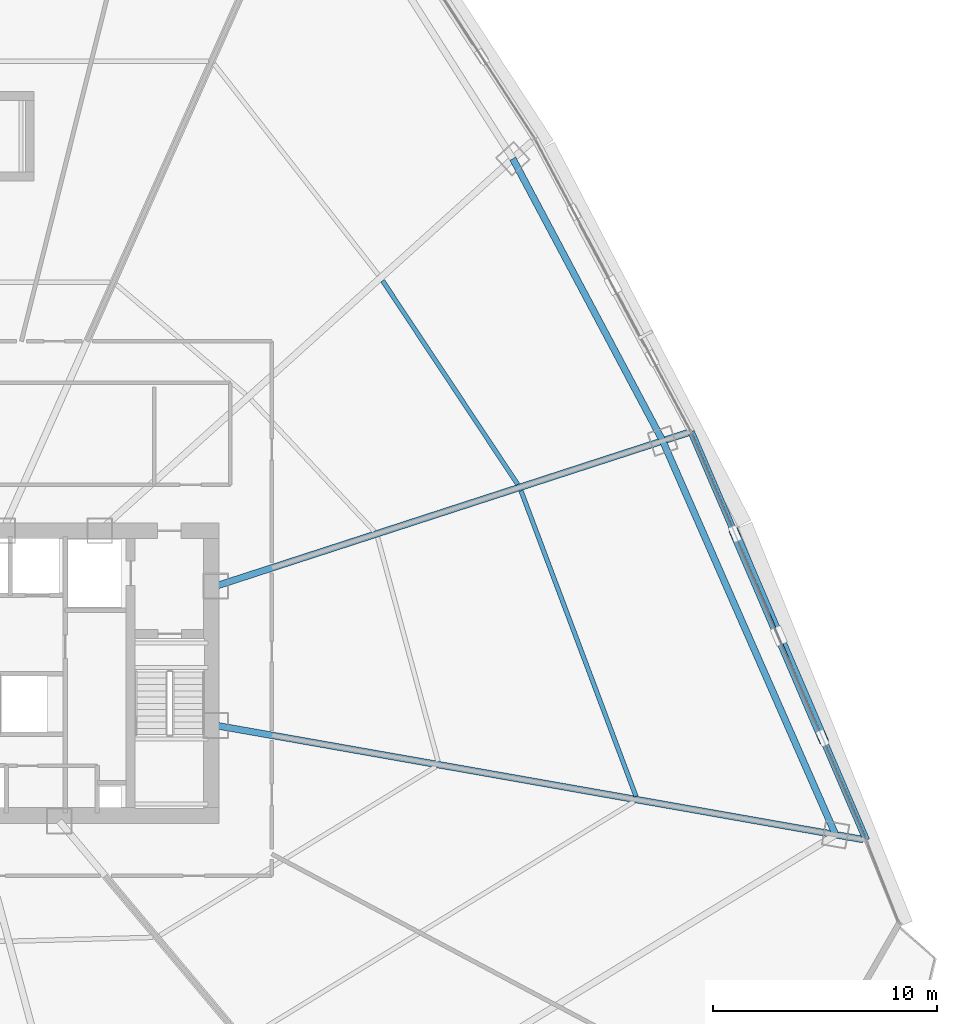
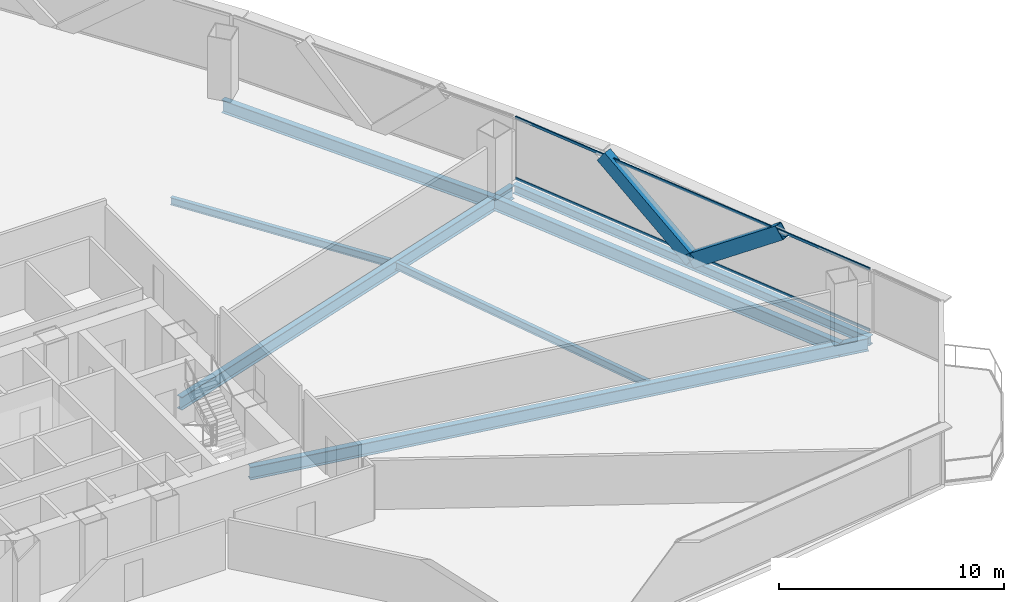
# One storey, part 23 of 37: 7 beams, 4 members, 1 element without a shape of its own.
"""IFC4 building model written with IfcOpenShell, lengths in metres."""

from ifc_helpers import new_model, si_unit, direction, frame, origin, origin_2d, place, context, subcontext, project, spatial, hollow_rectangle, i_section, extrude, source, transform, mapped, material, layer, layer_set, material_profile, profile_set, type_object, element, aggregate, save


model = new_model("IFC4")

# Units and contexts
model_context = context("Model", 3, precision=1e-05, world=origin(), true_north=direction((0.0, 1.0)))
body_context = subcontext(model_context, "Body", "Model", "MODEL_VIEW")
ifc_project = project(units=[si_unit("LENGTHUNIT", "METRE"), si_unit("AREAUNIT", "SQUARE_METRE"), si_unit("VOLUMEUNIT", "CUBIC_METRE"), si_unit("PLANEANGLEUNIT", "RADIAN"), si_unit("MASSUNIT", "GRAM", prefix="KILO"), si_unit("THERMODYNAMICTEMPERATUREUNIT", "KELVIN"), si_unit("POWERUNIT", "WATT")], contexts=[model_context])

# Site, building, storey
site_placement = place(None, origin())
site = spatial("IfcSite", under=ifc_project, at=site_placement, CompositionType="ELEMENT")
building_placement = place(site_placement, origin())
building = spatial("IfcBuilding", under=site, at=building_placement, Name="Yunzhuo Pagoda Commons", CompositionType="ELEMENT")
storey_placement = place(building_placement, frame((0.0, 0.0, 55.81005859375)))
storey = spatial("IfcBuildingStorey", under=building, at=storey_placement, Name="L14", CompositionType="ELEMENT", Elevation=55.81005859375)

# Beams
ifc_material_1 = material(Name="Structural steel Q355B", Category="steel")
ifc_material_profile_1 = material_profile(ifc_material_1, i_section(OverallWidth=0.300048828125, OverallDepth=0.699951171875, WebThickness=0.012939453125, FlangeThickness=0.02392578125, at=origin_2d()), Name="Structural steel Q355B")
ifc_profile_set_1 = profile_set([ifc_material_profile_1], Name="Structural steel Q355B")
beam_type_1 = type_object("IfcBeamType", Name="B-RG1 Beam HN 700x300x13x24", PredefinedType="BEAM", material=ifc_profile_set_1)
shared_shape_1 = source(origin(), body_context, "Body", "SweptSolid", [
    extrude(i_section(OverallWidth=0.300048828125, OverallDepth=0.699951171875, WebThickness=0.012939453125, FlangeThickness=0.02392578125, at=origin_2d()), origin(), (0.0, 0.0, 1.0), 19.18603515625),
])
beam_1_placement = place(storey_placement, frame((88.047607421875, 26.638427734375, -0.610107421875), z_axis=(-0.40196534204, 0.915654882474, 0.0), x_axis=(-0.915654882474, -0.40196534204, 0.0)))
element("IfcBeam", 1, at=beam_1_placement, inside=storey, type_object=beam_type_1, Name="L14 column-ring beam 5", PredefinedType="BEAM", context=body_context, shape_type="MappedRepresentation", body=[
    mapped(shared_shape_1, transform((0.0, 0.0, 0.0), scale=1.0)),
])
shared_shape_2 = source(origin(), body_context, "Body", "SweptSolid", [
    extrude(i_section(OverallWidth=0.300048828125, OverallDepth=0.699951171875, WebThickness=0.012939453125, FlangeThickness=0.02392578125, at=origin_2d()), origin(), (0.0, 0.0, 1.0), 14.25390625),
])
beam_2_placement = place(storey_placement, frame((80.33544921875, 44.206298828125, -0.610107421875), z_axis=(-0.469118073628, 0.883135455633, 0.0), x_axis=(-0.883135455633, -0.469118073628, 0.0)))
element("IfcBeam", 2, at=beam_2_placement, inside=storey, type_object=beam_type_1, Name="L14 column-ring beam 6", PredefinedType="BEAM", context=body_context, shape_type="MappedRepresentation", body=[
    mapped(shared_shape_2, transform((0.0, 0.0, 0.0), scale=1.0)),
])
ifc_material_profile_2 = material_profile(ifc_material_1, i_section(OverallWidth=0.199951171875, OverallDepth=0.39990234375, WebThickness=0.008056640625, FlangeThickness=0.012939453125, at=origin_2d()), Name="Structural steel Q355B")
ifc_profile_set_2 = profile_set([ifc_material_profile_2], Name="Structural steel Q355B")
beam_type_2 = type_object("IfcBeamType", Name="B-JS1 Joist HN 400x200x8x13", PredefinedType="JOIST", material=ifc_profile_set_2)
shared_shape_3 = source(origin(), body_context, "Body", "SweptSolid", [
    extrude(i_section(OverallWidth=0.199951171875, OverallDepth=0.39990234375, WebThickness=0.008056640625, FlangeThickness=0.012939453125, at=origin_2d()), origin(), (0.0, 0.0, 1.0), 14.571044921875),
])
beam_3_placement = place(storey_placement, frame((79.144287109375, 28.347412109375, -0.4599609375), z_axis=(-0.352208383632, 0.935921607027, 0.0), x_axis=(-0.935921607027, -0.352208383632, 0.0)))
element("IfcBeam", 3, at=beam_3_placement, inside=storey, type_object=beam_type_2, Name="L14 composite ring joist 2.5", PredefinedType="JOIST", context=body_context, shape_type="MappedRepresentation", body=[
    mapped(shared_shape_3, transform((0.0, 0.0, 0.0), scale=1.0)),
])
shared_shape_4 = source(origin(), body_context, "Body", "SweptSolid", [
    extrude(i_section(OverallWidth=0.199951171875, OverallDepth=0.39990234375, WebThickness=0.008056640625, FlangeThickness=0.012939453125, at=origin_2d()), origin(), (0.0, 0.0, 1.0), 10.904052734375),
])
beam_4_placement = place(storey_placement, frame((73.8681640625, 42.26611328125, -0.4599609375), z_axis=(-0.552916349928, 0.833236767061, 0.0), x_axis=(-0.833236767061, -0.552916349928, 0.0)))
element("IfcBeam", 4, at=beam_4_placement, inside=storey, type_object=beam_type_2, Name="L14 composite ring joist 2.6", PredefinedType="JOIST", context=body_context, shape_type="MappedRepresentation", body=[
    mapped(shared_shape_4, transform((0.0, 0.0, 0.0), scale=1.0)),
])
shared_shape_5 = source(origin(), body_context, "Body", "SweptSolid", [
    extrude(i_section(OverallWidth=0.300048828125, OverallDepth=0.699951171875, WebThickness=0.012939453125, FlangeThickness=0.02392578125, at=origin_2d()), origin(), (0.0, 0.0, 1.0), 29.313232421875),
])
beam_5_placement = place(storey_placement, frame((89.267822265625, 26.42333984375, -0.610107421875), z_axis=(-0.984808367131, 0.173644694792, 0.0), x_axis=(-0.173644694792, -0.984808367131, 0.0)))
element("IfcBeam", 5, at=beam_5_placement, inside=storey, type_object=beam_type_1, Name="L14 radial floor girder F2C1", PredefinedType="BEAM", context=body_context, shape_type="MappedRepresentation", body=[
    mapped(shared_shape_5, transform((0.0, 0.0, 0.0), scale=1.0)),
])
shared_shape_6 = source(origin(), body_context, "Body", "SweptSolid", [
    extrude(i_section(OverallWidth=0.300048828125, OverallDepth=0.699951171875, WebThickness=0.012939453125, FlangeThickness=0.02392578125, at=origin_2d()), origin(), (0.0, 0.0, 1.0), 22.139404296875),
])
beam_6_placement = place(storey_placement, frame((81.45556640625, 44.570556640625, -0.610107421875), z_axis=(-0.951054488387, -0.309023235565, 0.0), x_axis=(0.309023235565, -0.951054488387, 0.0)))
element("IfcBeam", 6, at=beam_6_placement, inside=storey, type_object=beam_type_1, Name="L14 radial floor girder F2C2", PredefinedType="BEAM", context=body_context, shape_type="MappedRepresentation", body=[
    mapped(shared_shape_6, transform((0.0, 0.0, 0.0), scale=1.0)),
])
ifc_material_profile_3 = material_profile(ifc_material_1, i_section(OverallWidth=0.300048828125, OverallDepth=0.488037109375, WebThickness=0.010986328125, FlangeThickness=0.01806640625, at=origin_2d()), Name="Structural steel Q355B")
ifc_profile_set_3 = profile_set([ifc_material_profile_3], Name="Structural steel Q355B")
beam_type_3 = type_object("IfcBeamType", Name="B-SP1 Beam HM 488x300x11x18", PredefinedType="BEAM", material=ifc_profile_set_3)
shared_shape_7 = source(origin(), body_context, "Body", "SweptSolid", [
    extrude(i_section(OverallWidth=0.300048828125, OverallDepth=0.488037109375, WebThickness=0.010986328125, FlangeThickness=0.01806640625, at=origin_2d()), origin(), (0.0, 0.0, 1.0), 19.828125),
])
beam_7_placement = place(storey_placement, frame((89.420654296875, 26.396484375, -0.504150390625), z_axis=(-0.394280372783, 0.918990199969, 0.0), x_axis=(-0.918990199969, -0.394280372783, 0.0)))
element("IfcBeam", 7, at=beam_7_placement, inside=storey, type_object=beam_type_3, Name="L14 facade edge spandrel beam F2.1", PredefinedType="BEAM", context=body_context, shape_type="MappedRepresentation", body=[
    mapped(shared_shape_7, transform((0.0, 0.0, 0.0), scale=1.0)),
])

# Members
ifc_material_2 = material(Name="Structural steel Q420B", Category="steel")
ifc_material_profile_4 = material_profile(ifc_material_2, hollow_rectangle(XDim=0.419921875, YDim=0.719970703125, WallThickness=0.028076171875, at=origin_2d()), Name="Structural steel Q420B")
ifc_profile_set_4 = profile_set([ifc_material_profile_4], Name="Structural steel Q420B")
member_type_1 = type_object("IfcMemberType", Name="M-DL1 Brace BOX 720x420x28", PredefinedType="BRACE", material=ifc_profile_set_4)
shared_shape_8 = source(origin(), body_context, "Body", "SweptSolid", [
    extrude(hollow_rectangle(XDim=0.419921875, YDim=0.719970703125, WallThickness=0.028076171875, at=origin_2d()), origin(), (0.0, 0.0, 1.0), 6.14404296875),
])
member_1_placement = place(storey_placement, frame((85.51171875, 35.50732421875, -0.260009765625), z_axis=(0.318131604622, -0.741446116742, 0.590804483826), x_axis=(0.918979362661, 0.394305631463, 0.0)))
element("IfcMember", 8, at=member_1_placement, inside=storey, type_object=member_type_1, Name="L14 facade diamond brace F2.1L", PredefinedType="BRACE", context=body_context, shape_type="MappedRepresentation", body=[
    mapped(shared_shape_8, transform((0.0, 0.0, 0.0), scale=1.0)),
])
shared_shape_9 = source(origin(), body_context, "Body", "SweptSolid", [
    extrude(hollow_rectangle(XDim=0.419921875, YDim=0.719970703125, WallThickness=0.028076171875, at=origin_2d()), origin(), (0.0, 0.0, 1.0), 6.143798828125),
])
member_2_placement = place(storey_placement, frame((85.51171875, 35.50732421875, -0.260009765625), z_axis=(-0.318095888952, 0.741455489313, 0.590811952147), x_axis=(-0.918997208693, -0.394264036421, 0.0)))
element("IfcMember", 9, at=member_2_placement, inside=storey, type_object=member_type_1, Name="L14 facade diamond brace F2.1R", PredefinedType="BRACE", context=body_context, shape_type="MappedRepresentation", body=[
    mapped(shared_shape_9, transform((0.0, 0.0, 0.0), scale=1.0)),
])

# Curtain wall, members
ifc_material_3 = material(Name="Anodized aluminium 6063-T6", Category="aluminium")
ifc_layer = layer(ifc_material_3, 0.1650390625)
ifc_layer_set = layer_set([ifc_layer], Name="Anodized aluminium 6063-T6")
curtain_wall_type = type_object("IfcCurtainWallType", Name="CW-LOW Low-Zone Ribbon Curtain Wall", PredefinedType="NOTDEFINED", material=ifc_layer_set)
curtain_wall_placement = place(storey_placement, origin())
curtain_wall = element("IfcCurtainWall", 10, at=curtain_wall_placement, inside=storey, type_object=curtain_wall_type, Name="L14 curtain wall CW-L14-F2B2", PredefinedType="NOTDEFINED")
ifc_material_profile_5 = material_profile(ifc_material_3, hollow_rectangle(XDim=0.06005859375, YDim=0.139892578125, WallThickness=0.00341796875, at=origin_2d()), Name="Anodized aluminium 6063-T6")
ifc_profile_set_5 = profile_set([ifc_material_profile_5], Name="Anodized aluminium 6063-T6")
member_type_2 = type_object("IfcMemberType", Name="CW-LOW-T Transom RHS 140x60x3.5", PredefinedType="USERDEFINED", material=ifc_profile_set_5)
shared_shape_10 = source(origin(), body_context, "Body", "SweptSolid", [
    extrude(hollow_rectangle(XDim=0.06005859375, YDim=0.139892578125, WallThickness=0.00341796875, at=origin_2d()), origin(), (0.0, 0.0, 1.0), 19.698486328125),
])
member_3_placement = place(storey_placement, frame((89.395263671875, 26.4560546875, 0.030029296875), z_axis=(-0.394288734681, 0.918986612364, 0.0), x_axis=(-0.918986612364, -0.394288734681, 0.0)))
member_3 = element("IfcMember", 11, at=member_3_placement, type_object=member_type_2, Name="CW transom 1.1", ObjectType="TRANSOM", PredefinedType="USERDEFINED", context=body_context, shape_type="MappedRepresentation", body=[
    mapped(shared_shape_10, transform((0.0, 0.0, 0.0), scale=1.0)),
])
member_4_placement = place(storey_placement, frame((89.395263671875, 26.4560546875, 3.33984375), z_axis=(-0.394288734681, 0.918986612364, 0.0), x_axis=(-0.918986612364, -0.394288734681, 0.0)))
member_4 = element("IfcMember", 12, at=member_4_placement, type_object=member_type_2, Name="CW transom 1.2", ObjectType="TRANSOM", PredefinedType="USERDEFINED", context=body_context, shape_type="MappedRepresentation", body=[
    mapped(shared_shape_10, transform((0.0, 0.0, 0.0), scale=1.0)),
])
aggregate(curtain_wall, [member_3, member_4])

save(model, "model.ifc")
